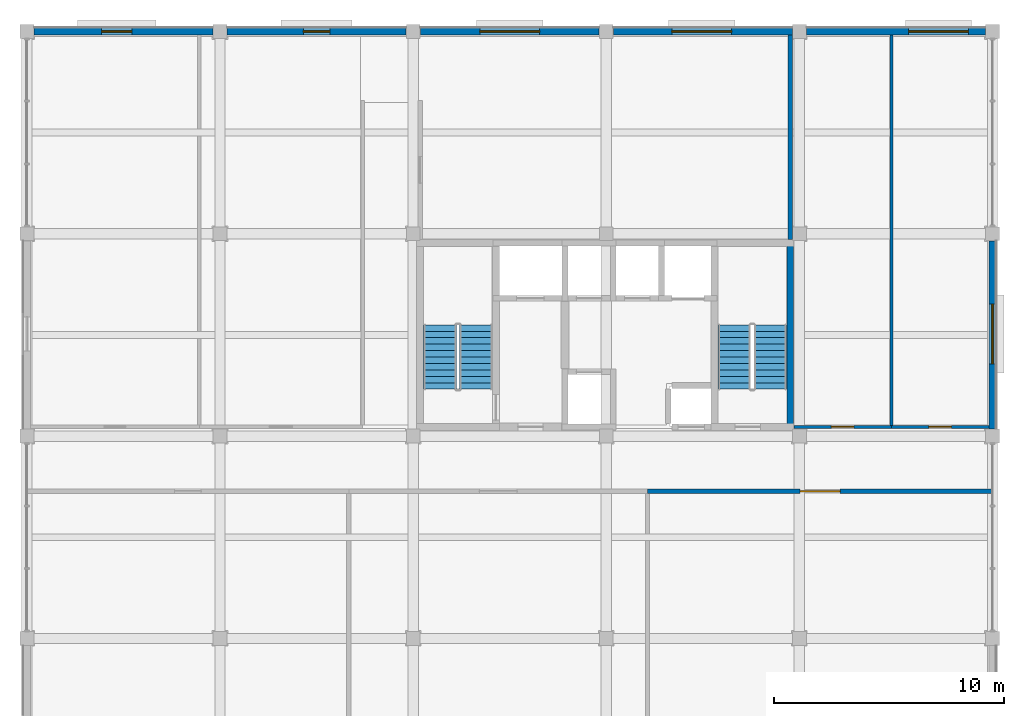
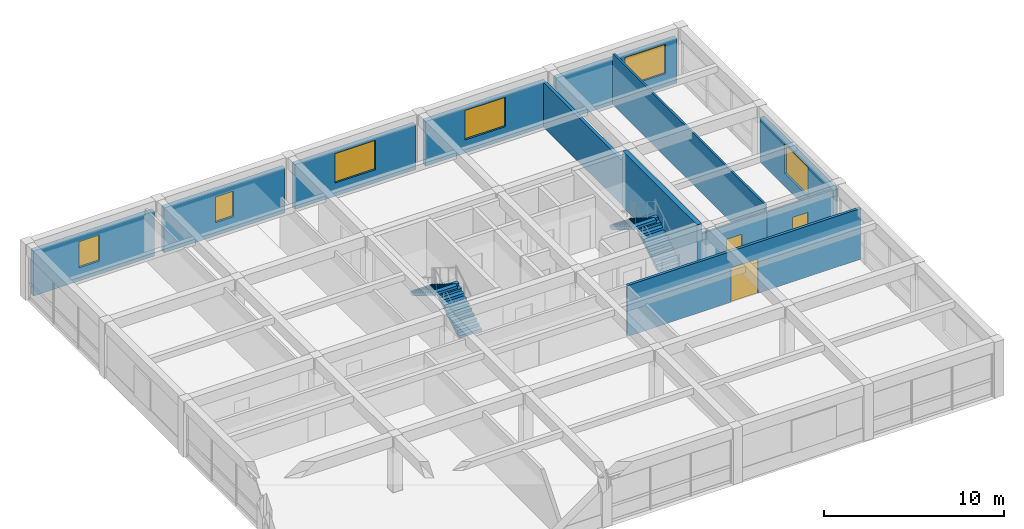
# One storey, part 9 of 14: 12 walls, 6 windows, 4 stair flights, 3 doors, 9 openings, 2 elements without a shape of their own.
"""IFC4 building model written with IfcOpenShell, lengths in metres."""

from ifc_helpers import new_model, si_unit, direction, frame, frame_2d, origin, place, context, subcontext, project, spatial, polyline, rectangle, outline, extrude, material, layer, layer_set, type_object, element, fill, aggregate, save


model = new_model("IFC4")

# Units and contexts
model_context = context("Model", 3, precision=1e-05, world=origin(), true_north=direction((0.0, 1.0)))
body_context = subcontext(model_context, "Body", "Model", "MODEL_VIEW")
ifc_project = project(units=[si_unit("LENGTHUNIT", "METRE"), si_unit("AREAUNIT", "SQUARE_METRE"), si_unit("VOLUMEUNIT", "CUBIC_METRE"), si_unit("PLANEANGLEUNIT", "RADIAN"), si_unit("MASSUNIT", "GRAM", prefix="KILO")], contexts=[model_context])

# Site, building, storey
site_placement = place(None, origin())
site = spatial("IfcSite", under=ifc_project, at=site_placement, CompositionType="ELEMENT")
building_placement = place(site_placement, origin())
building = spatial("IfcBuilding", under=site, at=building_placement, Name="Kemercrest Conservatory and Botanical Centre", CompositionType="ELEMENT")
storey_placement = place(building_placement, frame((0.0, 0.0, 44.39990234375)))
storey = spatial("IfcBuildingStorey", under=building, at=storey_placement, Name="L11", CompositionType="ELEMENT", Elevation=44.39990234375)

# Wall
ifc_material_1 = material(Name="Concrete C50/60", Category="concrete")
ifc_layer_1 = layer(ifc_material_1, 0.300048828125)
ifc_layer_set_1 = layer_set([ifc_layer_1], Name="Concrete C50/60")
wall_type_1 = type_object("IfcWallType", Name="CW-STAIR", PredefinedType="SHEAR", material=ifc_layer_set_1)
wall_1_placement = place(storey_placement, frame((167.199951171875, 105.050048828125, 0.0), z_axis=(0.0, 0.0, 1.0), x_axis=(0.0, 1.0, 0.0)))
element("IfcWall", 1, at=wall_1_placement, inside=storey, type_object=wall_type_1, Name="Stair core ST-V4B shear wall E", PredefinedType="SHEAR", context=body_context, shape_type="SweptSolid", body=[
    extrude(rectangle(XDim=8.300048828125, YDim=0.300048828125, at=frame_2d((4.14990234375, 0.0))), origin(), (0.0, 0.0, 1.0), 3.800048828125),
])

# Wall, opening, window
ifc_material_2 = material(Name="Precast concrete C40/50", Category="concrete")
ifc_layer_2 = layer(ifc_material_2, 0.300048828125)
ifc_layer_set_2 = layer_set([ifc_layer_2], Name="Precast concrete C40/50")
wall_type_2 = type_object("IfcWallType", Name="W-EXT300", PredefinedType="SOLIDWALL", material=ifc_layer_set_2)
wall_2_placement = place(storey_placement, frame((176.0, 105.110107421875, 0.0), z_axis=(0.0, 0.0, 1.0), x_axis=(0.0, 1.0, 0.0)))
wall_2 = element("IfcWall", 2, at=wall_2_placement, inside=storey, type_object=wall_type_2, Name="Exterior almasik wall W-EXT300 (WAL:L11:EXT-304)", PredefinedType="SOLIDWALL", context=body_context, shape_type="SweptSolid", body=[
    extrude(rectangle(XDim=8.179931640625, YDim=0.300048828125, at=frame_2d((4.08984375, 0.0))), origin(), (0.0, 0.0, 1.0), 3.050048828125),
])
opening_1_placement = place(wall_2_placement, frame((2.8349609375, 0.0, 0.89990234375)))
opening_1 = element("IfcOpeningElement", 3, at=opening_1_placement, cuts=wall_2, Name="Opening WT-10", PredefinedType="OPENING", context=body_context, shape_type="SweptSolid", body=[
    extrude(rectangle(XDim=2.60009765625, YDim=2.0, at=frame_2d((1.300048828125, 1.0))), frame((0.0, 0.16015625, 0.0), z_axis=(0.0, -1.0, 0.0), x_axis=(1.0, 0.0, 0.0)), (0.0, 0.0, 1.0), 0.320068359375),
])
ifc_material_3 = material(Name="Thermally broken bronze-anodized aluminium and triple glazing", Category="aluminium")
window_type_1 = type_object("IfcWindowType", Name="WT-10", PartitioningType="SINGLE_PANEL", PredefinedType="WINDOW", material=ifc_material_3)
window_1_placement = place(opening_1_placement, origin())
window_1 = element("IfcWindow", 4, at=window_1_placement, inside=storey, type_object=window_type_1, Name="Exterior window WT-10 (WIN:L11:EXT-304)", OverallHeight=2.0, OverallWidth=2.60009765625, PartitioningType="SINGLE_PANEL", PredefinedType="WINDOW", context=body_context, shape_type="SweptSolid", body=[
    extrude(rectangle(XDim=2.60009765625, YDim=2.0, at=frame_2d((1.300048828125, 1.0))), frame((0.0, 0.030029296875, 0.0), z_axis=(0.0, -1.0, 0.0), x_axis=(1.0, 0.0, 0.0)), (0.0, 0.0, 1.0), 0.06005859375),
])
fill(opening_1, window_1)

wall_3_placement = place(storey_placement, frame((175.68994140625, 122.39990234375, 0.0), z_axis=(0.0, 0.0, 1.0), x_axis=(-1.0, 0.0, 0.0)))
wall_3 = element("IfcWall", 5, at=wall_3_placement, inside=storey, type_object=wall_type_2, Name="Exterior almasik wall W-EXT300 (WAL:L11:EXT-305)", PredefinedType="SOLIDWALL", context=body_context, shape_type="SweptSolid", body=[
    extrude(rectangle(XDim=7.780029296875, YDim=0.300048828125, at=frame_2d((3.89013671875, 0.0))), origin(), (0.0, 0.0, 1.0), 3.050048828125),
])
opening_2_placement = place(wall_3_placement, frame((0.7451171875, 0.0, 0.89990234375)))
opening_2 = element("IfcOpeningElement", 6, at=opening_2_placement, cuts=wall_3, Name="Opening WT-10", PredefinedType="OPENING", context=body_context, shape_type="SweptSolid", body=[
    extrude(rectangle(XDim=2.60009765625, YDim=2.0, at=frame_2d((1.300048828125, 1.0))), frame((0.0, 0.16015625, 0.0), z_axis=(0.0, -1.0, 0.0), x_axis=(1.0, 0.0, 0.0)), (0.0, 0.0, 1.0), 0.320068359375),
])
window_2_placement = place(opening_2_placement, origin())
window_2 = element("IfcWindow", 7, at=window_2_placement, inside=storey, type_object=window_type_1, Name="Exterior window WT-10 (WIN:L11:EXT-305)", OverallHeight=2.0, OverallWidth=2.60009765625, PartitioningType="SINGLE_PANEL", PredefinedType="WINDOW", context=body_context, shape_type="SweptSolid", body=[
    extrude(rectangle(XDim=2.60009765625, YDim=2.0, at=frame_2d((1.300048828125, 1.0))), frame((0.0, 0.030029296875, 0.0), z_axis=(0.0, -1.0, 0.0), x_axis=(1.0, 0.0, 0.0)), (0.0, 0.0, 1.0), 0.06005859375),
])
fill(opening_2, window_2)

wall_4_placement = place(storey_placement, frame((167.2900390625, 122.39990234375, 0.0), z_axis=(0.0, 0.0, 1.0), x_axis=(-1.0, 0.0, 0.0)))
wall_4 = element("IfcWall", 8, at=wall_4_placement, inside=storey, type_object=wall_type_2, Name="Exterior almasik wall W-EXT300 (WAL:L11:EXT-306)", PredefinedType="SOLIDWALL", context=body_context, shape_type="SweptSolid", body=[
    extrude(rectangle(XDim=7.780029296875, YDim=0.300048828125, at=frame_2d((3.89013671875, 0.0))), origin(), (0.0, 0.0, 1.0), 3.050048828125),
])
opening_3_placement = place(wall_4_placement, frame((2.635009765625, 0.0, 0.89990234375)))
opening_3 = element("IfcOpeningElement", 9, at=opening_3_placement, cuts=wall_4, Name="Opening WT-10", PredefinedType="OPENING", context=body_context, shape_type="SweptSolid", body=[
    extrude(rectangle(XDim=2.60009765625, YDim=2.0, at=frame_2d((1.300048828125, 1.0))), frame((0.0, 0.16015625, 0.0), z_axis=(0.0, -1.0, 0.0), x_axis=(1.0, 0.0, 0.0)), (0.0, 0.0, 1.0), 0.320068359375),
])
window_3_placement = place(opening_3_placement, origin())
window_3 = element("IfcWindow", 10, at=window_3_placement, inside=storey, type_object=window_type_1, Name="Exterior window WT-10 (WIN:L11:EXT-306)", OverallHeight=2.0, OverallWidth=2.60009765625, PartitioningType="SINGLE_PANEL", PredefinedType="WINDOW", context=body_context, shape_type="SweptSolid", body=[
    extrude(rectangle(XDim=2.60009765625, YDim=2.0, at=frame_2d((1.300048828125, 1.0))), frame((0.0, 0.030029296875, 0.0), z_axis=(0.0, -1.0, 0.0), x_axis=(1.0, 0.0, 0.0)), (0.0, 0.0, 1.0), 0.06005859375),
])
fill(opening_3, window_3)

wall_5_placement = place(storey_placement, frame((158.889892578125, 122.39990234375, 0.0), z_axis=(0.0, 0.0, 1.0), x_axis=(-1.0, 0.0, 0.0)))
wall_5 = element("IfcWall", 11, at=wall_5_placement, inside=storey, type_object=wall_type_2, Name="Exterior almasik wall W-EXT300 (WAL:L11:EXT-307)", PredefinedType="SOLIDWALL", context=body_context, shape_type="SweptSolid", body=[
    extrude(rectangle(XDim=7.77978515625, YDim=0.300048828125, at=frame_2d((3.889892578125, 0.0))), origin(), (0.0, 0.0, 1.0), 3.050048828125),
])
opening_4_placement = place(wall_5_placement, frame((2.590087890625, 0.0, 0.89990234375)))
opening_4 = element("IfcOpeningElement", 12, at=opening_4_placement, cuts=wall_5, Name="Opening WT-10", PredefinedType="OPENING", context=body_context, shape_type="SweptSolid", body=[
    extrude(rectangle(XDim=2.60009765625, YDim=2.0, at=frame_2d((1.300048828125, 1.0))), frame((0.0, 0.16015625, 0.0), z_axis=(0.0, -1.0, 0.0), x_axis=(1.0, 0.0, 0.0)), (0.0, 0.0, 1.0), 0.320068359375),
])
window_4_placement = place(opening_4_placement, origin())
window_4 = element("IfcWindow", 13, at=window_4_placement, inside=storey, type_object=window_type_1, Name="Exterior window WT-10 (WIN:L11:EXT-307)", OverallHeight=2.0, OverallWidth=2.60009765625, PartitioningType="SINGLE_PANEL", PredefinedType="WINDOW", context=body_context, shape_type="SweptSolid", body=[
    extrude(rectangle(XDim=2.60009765625, YDim=2.0, at=frame_2d((1.300048828125, 1.0))), frame((0.0, 0.030029296875, 0.0), z_axis=(0.0, -1.0, 0.0), x_axis=(1.0, 0.0, 0.0)), (0.0, 0.0, 1.0), 0.06005859375),
])
fill(opening_4, window_4)

wall_6_placement = place(storey_placement, frame((150.489990234375, 122.39990234375, 0.0), z_axis=(0.0, 0.0, 1.0), x_axis=(-1.0, 0.0, 0.0)))
wall_6 = element("IfcWall", 14, at=wall_6_placement, inside=storey, type_object=wall_type_2, Name="Exterior almasik wall W-EXT300 (WAL:L11:EXT-308)", PredefinedType="SOLIDWALL", context=body_context, shape_type="SweptSolid", body=[
    extrude(rectangle(XDim=7.780029296875, YDim=0.300048828125, at=frame_2d((3.89013671875, 0.0))), origin(), (0.0, 0.0, 1.0), 3.050048828125),
])
opening_5_placement = place(wall_6_placement, frame((3.31005859375, 0.0, 0.89990234375)))
opening_5 = element("IfcOpeningElement", 15, at=opening_5_placement, cuts=wall_6, Name="Opening WT-45", PredefinedType="OPENING", context=body_context, shape_type="SweptSolid", body=[
    extrude(rectangle(XDim=1.159912109375, YDim=1.739990234375, at=frame_2d((0.580078125, 0.8701171875))), frame((0.0, 0.16015625, 0.0), z_axis=(0.0, -1.0, 0.0), x_axis=(1.0, 0.0, 0.0)), (0.0, 0.0, 1.0), 0.320068359375),
])
window_type_2 = type_object("IfcWindowType", Name="WT-45", PartitioningType="SINGLE_PANEL", PredefinedType="WINDOW", material=ifc_material_3)
window_5_placement = place(opening_5_placement, origin())
window_5 = element("IfcWindow", 16, at=window_5_placement, inside=storey, type_object=window_type_2, Name="Exterior window WT-45 (WIN:L11:EXT-308)", OverallHeight=1.739990234375, OverallWidth=1.159912109375, PartitioningType="SINGLE_PANEL", PredefinedType="WINDOW", context=body_context, shape_type="SweptSolid", body=[
    extrude(rectangle(XDim=1.159912109375, YDim=1.739990234375, at=frame_2d((0.580078125, 0.8701171875))), frame((0.0, 0.030029296875, 0.0), z_axis=(0.0, -1.0, 0.0), x_axis=(1.0, 0.0, 0.0)), (0.0, 0.0, 1.0), 0.06005859375),
])
fill(opening_5, window_5)

wall_7_placement = place(storey_placement, frame((142.090087890625, 122.39990234375, 0.0), z_axis=(0.0, 0.0, 1.0), x_axis=(-1.0, 0.0, 0.0)))
wall_7 = element("IfcWall", 17, at=wall_7_placement, inside=storey, type_object=wall_type_2, Name="Exterior almasik wall W-EXT300 (WAL:L11:EXT-309)", PredefinedType="SOLIDWALL", context=body_context, shape_type="SweptSolid", body=[
    extrude(rectangle(XDim=7.780029296875, YDim=0.300048828125, at=frame_2d((3.89013671875, 0.0))), origin(), (0.0, 0.0, 1.0), 3.050048828125),
])
opening_6_placement = place(wall_7_placement, frame((3.52490234375, 0.0, 0.89990234375)))
opening_6 = element("IfcOpeningElement", 18, at=opening_6_placement, cuts=wall_7, Name="Opening WT-46", PredefinedType="OPENING", context=body_context, shape_type="SweptSolid", body=[
    extrude(rectangle(XDim=1.320068359375, YDim=1.780029296875, at=frame_2d((0.66015625, 0.89013671875))), frame((0.0, 0.16015625, 0.0), z_axis=(0.0, -1.0, 0.0), x_axis=(1.0, 0.0, 0.0)), (0.0, 0.0, 1.0), 0.320068359375),
])
window_type_3 = type_object("IfcWindowType", Name="WT-46", PartitioningType="SINGLE_PANEL", PredefinedType="WINDOW", material=ifc_material_3)
window_6_placement = place(opening_6_placement, origin())
window_6 = element("IfcWindow", 19, at=window_6_placement, inside=storey, type_object=window_type_3, Name="Exterior window WT-46 (WIN:L11:EXT-309)", OverallHeight=1.780029296875, OverallWidth=1.320068359375, PartitioningType="SINGLE_PANEL", PredefinedType="WINDOW", context=body_context, shape_type="SweptSolid", body=[
    extrude(rectangle(XDim=1.320068359375, YDim=1.780029296875, at=frame_2d((0.66015625, 0.89013671875))), frame((0.0, 0.030029296875, 0.0), z_axis=(0.0, -1.0, 0.0), x_axis=(1.0, 0.0, 0.0)), (0.0, 0.0, 1.0), 0.06005859375),
])
fill(opening_6, window_6)

# Wall
ifc_material_4 = material(Name="Concrete C40/50", Category="concrete")
ifc_layer_3 = layer(ifc_material_4, 0.199951171875)
ifc_layer_set_3 = layer_set([ifc_layer_3], Name="Concrete C40/50")
wall_type_3 = type_object("IfcWallType", Name="W-FIRE", PredefinedType="PARTITIONING", material=ifc_layer_set_3)
wall_8_placement = place(storey_placement, frame((167.199951171875, 113.35498046875, 0.0), z_axis=(0.0, 0.0, 1.0), x_axis=(0.0, 1.0, 0.0)))
element("IfcWall", 20, at=wall_8_placement, inside=storey, type_object=wall_type_3, Name="Interior partition W-FIRE #266", PredefinedType="PARTITIONING", context=body_context, shape_type="SweptSolid", body=[
    extrude(rectangle(XDim=8.89013671875, YDim=0.199951171875, at=frame_2d((4.445068359375, 0.0))), origin(), (0.0, 0.0, 1.0), 3.045166015625),
])

# Wall, opening, door
ifc_material_5 = material(Name="Moisture-resistant gypsum board partition", Category="gypsum")
ifc_layer_4 = layer(ifc_material_5, 0.125)
ifc_layer_set_4 = layer_set([ifc_layer_4], Name="Moisture-resistant gypsum board partition")
wall_type_4 = type_object("IfcWallType", Name="W-PART125", PredefinedType="PARTITIONING", material=ifc_layer_set_4)
wall_9_placement = place(storey_placement, frame((167.35498046875, 105.199951171875, 0.0), z_axis=(0.0, 0.0, 1.0), x_axis=(1.0, 0.0, 0.0)))
wall_9 = element("IfcWall", 21, at=wall_9_placement, inside=storey, type_object=wall_type_4, Name="Interior partition W-PART125 #259", PredefinedType="PARTITIONING", context=body_context, shape_type="SweptSolid", body=[
    extrude(rectangle(XDim=4.2451171875, YDim=0.125, at=frame_2d((2.12255859375, 0.0))), origin(), (0.0, 0.0, 1.0), 3.045166015625),
])
opening_7_placement = place(wall_9_placement, frame((1.632568359375, 0.0, 0.0)))
opening_7 = element("IfcOpeningElement", 22, at=opening_7_placement, cuts=wall_9, Name="Opening D254", PredefinedType="OPENING", context=body_context, shape_type="SweptSolid", body=[
    extrude(rectangle(XDim=0.97998046875, YDim=2.10009765625, at=frame_2d((0.489990234375, 1.050048828125))), frame((0.0, 0.072509765625, 0.0), z_axis=(0.0, -1.0, 0.0), x_axis=(1.0, 0.0, 0.0)), (0.0, 0.0, 1.0), 0.14501953125),
])
ifc_material_6 = material(Name="FSC solid-core white oak veneer and anodized aluminium frame", Category="aluminium")
door_type_1 = type_object("IfcDoorType", Name="DT-02", OperationType="NOTDEFINED", PredefinedType="DOOR", material=ifc_material_6)
door_1_placement = place(opening_7_placement, origin())
door_1 = element("IfcDoor", 23, at=door_1_placement, inside=storey, type_object=door_type_1, Name="Staff Washroom door D254", OperationType="SINGLE_SWING_RIGHT", OverallHeight=2.10009765625, OverallWidth=0.97998046875, PredefinedType="DOOR", context=body_context, shape_type="SweptSolid", body=[
    extrude(rectangle(XDim=0.97998046875, YDim=2.10009765625, at=frame_2d((0.489990234375, 1.050048828125))), frame((0.0, 0.02490234375, 0.0), z_axis=(0.0, -1.0, 0.0), x_axis=(1.0, 0.0, 0.0)), (0.0, 0.0, 1.0), 0.050048828125),
])
fill(opening_7, door_1)

wall_10_placement = place(storey_placement, frame((171.60009765625, 105.199951171875, 0.0), z_axis=(0.0, 0.0, 1.0), x_axis=(1.0, 0.0, 0.0)))
wall_10 = element("IfcWall", 24, at=wall_10_placement, inside=storey, type_object=wall_type_4, Name="Interior partition W-PART125 #260", PredefinedType="PARTITIONING", context=body_context, shape_type="SweptSolid", body=[
    extrude(rectangle(XDim=4.244873046875, YDim=0.125, at=frame_2d((2.12255859375, 0.0))), origin(), (0.0, 0.0, 1.0), 3.045166015625),
])
opening_8_placement = place(wall_10_placement, frame((1.632568359375, 0.0, 0.0)))
opening_8 = element("IfcOpeningElement", 25, at=opening_8_placement, cuts=wall_10, Name="Opening D255", PredefinedType="OPENING", context=body_context, shape_type="SweptSolid", body=[
    extrude(rectangle(XDim=0.97998046875, YDim=2.10009765625, at=frame_2d((0.489990234375, 1.050048828125))), frame((0.0, 0.072509765625, 0.0), z_axis=(0.0, -1.0, 0.0), x_axis=(1.0, 0.0, 0.0)), (0.0, 0.0, 1.0), 0.14501953125),
])
door_2_placement = place(opening_8_placement, origin())
door_2 = element("IfcDoor", 26, at=door_2_placement, inside=storey, type_object=door_type_1, Name="Accessible Washroom door D255", OperationType="SINGLE_SWING_LEFT", OverallHeight=2.10009765625, OverallWidth=0.97998046875, PredefinedType="DOOR", context=body_context, shape_type="SweptSolid", body=[
    extrude(rectangle(XDim=0.97998046875, YDim=2.10009765625, at=frame_2d((0.489990234375, 1.050048828125))), frame((0.0, 0.02490234375, 0.0), z_axis=(0.0, -1.0, 0.0), x_axis=(1.0, 0.0, 0.0)), (0.0, 0.0, 1.0), 0.050048828125),
])
fill(opening_8, door_2)

# Wall
wall_11_placement = place(storey_placement, frame((171.60009765625, 105.267578125, 0.0), z_axis=(0.0, 0.0, 1.0), x_axis=(0.0, 1.0, 0.0)))
element("IfcWall", 27, at=wall_11_placement, inside=storey, type_object=wall_type_4, Name="Interior partition W-PART125 #267", PredefinedType="PARTITIONING", context=body_context, shape_type="SweptSolid", body=[
    extrude(rectangle(XDim=16.9775390625, YDim=0.125, at=frame_2d((8.48876953125, 0.0))), origin(), (0.0, 0.0, 1.0), 3.465087890625),
])

# Wall, opening, door
ifc_material_7 = material(Name="Acoustic steel-stud gypsum board assembly", Category="steel")
ifc_layer_5 = layer(ifc_material_7, 0.179931640625)
ifc_layer_set_5 = layer_set([ifc_layer_5], Name="Acoustic steel-stud gypsum board assembly")
wall_type_5 = type_object("IfcWallType", Name="W-PART180", PredefinedType="PARTITIONING", material=ifc_layer_set_5)
wall_12_placement = place(storey_placement, frame((161.0, 102.39990234375, 0.0), z_axis=(0.0, 0.0, 1.0), x_axis=(1.0, 0.0, 0.0)))
wall_12 = element("IfcWall", 28, at=wall_12_placement, inside=storey, type_object=wall_type_5, Name="Interior partition W-PART180 #256", PredefinedType="PARTITIONING", context=body_context, shape_type="SweptSolid", body=[
    extrude(rectangle(XDim=15.0, YDim=0.179931640625, at=frame_2d((7.5, 0.0))), origin(), (0.0, 0.0, 1.0), 3.465087890625),
])
opening_9_placement = place(wall_12_placement, frame((6.6298828125, 0.0, 0.0)))
opening_9 = element("IfcOpeningElement", 29, at=opening_9_placement, cuts=wall_12, Name="Opening D251", PredefinedType="OPENING", context=body_context, shape_type="SweptSolid", body=[
    extrude(rectangle(XDim=1.739990234375, YDim=2.340087890625, at=frame_2d((0.8701171875, 1.169921875))), frame((0.0, 0.10009765625, 0.0), z_axis=(0.0, -1.0, 0.0), x_axis=(1.0, 0.0, 0.0)), (0.0, 0.0, 1.0), 0.199951171875),
])
door_type_2 = type_object("IfcDoorType", Name="DT-32", OperationType="DOUBLE_DOOR_SINGLE_SWING", PredefinedType="DOOR", material=ifc_material_6)
door_3_placement = place(opening_9_placement, origin())
door_3 = element("IfcDoor", 30, at=door_3_placement, inside=storey, type_object=door_type_2, Name="Germination Research Laboratory door D251", OperationType="DOUBLE_DOOR_SINGLE_SWING", OverallHeight=2.340087890625, OverallWidth=1.739990234375, PredefinedType="DOOR", context=body_context, shape_type="SweptSolid", body=[
    extrude(rectangle(XDim=1.739990234375, YDim=2.340087890625, at=frame_2d((0.8701171875, 1.169921875))), frame((0.0, 0.02490234375, 0.0), z_axis=(0.0, -1.0, 0.0), x_axis=(1.0, 0.0, 0.0)), (0.0, 0.0, 1.0), 0.050048828125),
])
fill(opening_9, door_3)

# Stair, stair flights
stair_type = type_object("IfcStairType", Name="ST-142-38", PredefinedType="HALF_TURN_STAIR", material=ifc_material_4)
stair_1_placement = place(storey_placement, origin())
stair_1 = element("IfcStair", 31, at=stair_1_placement, inside=storey, type_object=stair_type, Name="L11 Exit stair ST-V4A", PredefinedType="HALF_TURN_STAIR")
stair_flight_type = type_object("IfcStairFlightType", Name="FL-142-38", PredefinedType="STRAIGHT", material=ifc_material_4)
stair_flight_1_placement = place(storey_placement, frame((153.530029296875, 106.840087890625, 0.0), z_axis=(0.0, 0.0, 1.0), x_axis=(0.0, 1.0, 0.0)))
stair_flight_1 = element("IfcStairFlight", 32, at=stair_flight_1_placement, type_object=stair_flight_type, Name="ST-V4A flight 1", NumberOfRisers=11, NumberOfTreads=10, PredefinedType="STRAIGHT", RiserHeight=0.172727273, TreadLength=0.28, context=body_context, shape_type="SweptSolid", body=[
    extrude(outline(polyline([(0.0, 0.0), (0.0, 0.172607421875), (0.280029296875, 0.172607421875), (0.280029296875, 0.345458984375), (0.56005859375, 0.345458984375), (0.56005859375, 0.51806640625), (0.840087890625, 0.51806640625), (0.840087890625, 0.69091796875), (1.1201171875, 0.69091796875), (1.1201171875, 0.863525390625), (1.39990234375, 0.863525390625), (1.39990234375, 1.036376953125), (1.679931640625, 1.036376953125), (1.679931640625, 1.208984375), (1.9599609375, 1.208984375), (1.9599609375, 1.3818359375), (2.239990234375, 1.3818359375), (2.239990234375, 1.554443359375), (2.52001953125, 1.554443359375), (2.52001953125, 1.727294921875), (2.800048828125, 1.727294921875), (2.800048828125, 1.89990234375), (2.800048828125, 1.551025390625), (0.285400390625, 0.0), (0.0, 0.0)])), frame((0.0, 0.7099609375, 0.0), z_axis=(0.0, -1.0, 0.0), x_axis=(1.0, 0.0, 0.0)), (0.0, 0.0, 1.0), 1.419921875),
])
stair_flight_2_placement = place(storey_placement, frame((151.969970703125, 109.639892578125, 1.900146484375), z_axis=(0.0, 0.0, 1.0), x_axis=(0.0, -1.0, 0.0)))
stair_flight_2 = element("IfcStairFlight", 33, at=stair_flight_2_placement, type_object=stair_flight_type, Name="ST-V4A flight 2", NumberOfRisers=11, NumberOfTreads=10, PredefinedType="STRAIGHT", RiserHeight=0.172727273, TreadLength=0.28, context=body_context, shape_type="SweptSolid", body=[
    extrude(outline(polyline([(0.0, 0.0), (0.0, 0.172607421875), (0.280029296875, 0.172607421875), (0.280029296875, 0.345458984375), (0.56005859375, 0.345458984375), (0.56005859375, 0.51806640625), (0.840087890625, 0.51806640625), (0.840087890625, 0.69091796875), (1.1201171875, 0.69091796875), (1.1201171875, 0.863525390625), (1.39990234375, 0.863525390625), (1.39990234375, 1.036376953125), (1.679931640625, 1.036376953125), (1.679931640625, 1.208984375), (1.9599609375, 1.208984375), (1.9599609375, 1.3818359375), (2.239990234375, 1.3818359375), (2.239990234375, 1.554443359375), (2.52001953125, 1.554443359375), (2.52001953125, 1.727294921875), (2.800048828125, 1.727294921875), (2.800048828125, 1.89990234375), (2.800048828125, 1.551025390625), (0.285400390625, 0.0), (0.0, 0.0)])), frame((0.0, 0.7099609375, 0.0), z_axis=(0.0, -1.0, 0.0), x_axis=(1.0, 0.0, 0.0)), (0.0, 0.0, 1.0), 1.419921875),
])
aggregate(stair_1, [stair_flight_1, stair_flight_2])

stair_2_placement = place(storey_placement, origin())
stair_2 = element("IfcStair", 34, at=stair_2_placement, inside=storey, type_object=stair_type, Name="L11 Exit stair ST-V4B", PredefinedType="HALF_TURN_STAIR")
stair_flight_3_placement = place(storey_placement, frame((166.330078125, 106.840087890625, 0.0), z_axis=(0.0, 0.0, 1.0), x_axis=(0.0, 1.0, 0.0)))
stair_flight_3 = element("IfcStairFlight", 35, at=stair_flight_3_placement, type_object=stair_flight_type, Name="ST-V4B flight 1", NumberOfRisers=11, NumberOfTreads=10, PredefinedType="STRAIGHT", RiserHeight=0.172727273, TreadLength=0.28, context=body_context, shape_type="SweptSolid", body=[
    extrude(outline(polyline([(0.0, 0.0), (0.0, 0.172607421875), (0.280029296875, 0.172607421875), (0.280029296875, 0.345458984375), (0.56005859375, 0.345458984375), (0.56005859375, 0.51806640625), (0.840087890625, 0.51806640625), (0.840087890625, 0.69091796875), (1.1201171875, 0.69091796875), (1.1201171875, 0.863525390625), (1.39990234375, 0.863525390625), (1.39990234375, 1.036376953125), (1.679931640625, 1.036376953125), (1.679931640625, 1.208984375), (1.9599609375, 1.208984375), (1.9599609375, 1.3818359375), (2.239990234375, 1.3818359375), (2.239990234375, 1.554443359375), (2.52001953125, 1.554443359375), (2.52001953125, 1.727294921875), (2.800048828125, 1.727294921875), (2.800048828125, 1.89990234375), (2.800048828125, 1.551025390625), (0.285400390625, 0.0), (0.0, 0.0)])), frame((0.0, 0.7099609375, 0.0), z_axis=(0.0, -1.0, 0.0), x_axis=(1.0, 0.0, 0.0)), (0.0, 0.0, 1.0), 1.419921875),
])
stair_flight_4_placement = place(storey_placement, frame((164.77001953125, 109.639892578125, 1.900146484375), z_axis=(0.0, 0.0, 1.0), x_axis=(0.0, -1.0, 0.0)))
stair_flight_4 = element("IfcStairFlight", 36, at=stair_flight_4_placement, type_object=stair_flight_type, Name="ST-V4B flight 2", NumberOfRisers=11, NumberOfTreads=10, PredefinedType="STRAIGHT", RiserHeight=0.172727273, TreadLength=0.28, context=body_context, shape_type="SweptSolid", body=[
    extrude(outline(polyline([(0.0, 0.0), (0.0, 0.172607421875), (0.280029296875, 0.172607421875), (0.280029296875, 0.345458984375), (0.56005859375, 0.345458984375), (0.56005859375, 0.51806640625), (0.840087890625, 0.51806640625), (0.840087890625, 0.69091796875), (1.1201171875, 0.69091796875), (1.1201171875, 0.863525390625), (1.39990234375, 0.863525390625), (1.39990234375, 1.036376953125), (1.679931640625, 1.036376953125), (1.679931640625, 1.208984375), (1.9599609375, 1.208984375), (1.9599609375, 1.3818359375), (2.239990234375, 1.3818359375), (2.239990234375, 1.554443359375), (2.52001953125, 1.554443359375), (2.52001953125, 1.727294921875), (2.800048828125, 1.727294921875), (2.800048828125, 1.89990234375), (2.800048828125, 1.551025390625), (0.285400390625, 0.0), (0.0, 0.0)])), frame((0.0, 0.7099609375, 0.0), z_axis=(0.0, -1.0, 0.0), x_axis=(1.0, 0.0, 0.0)), (0.0, 0.0, 1.0), 1.419921875),
])
aggregate(stair_2, [stair_flight_3, stair_flight_4])

save(model, "model.ifc")
